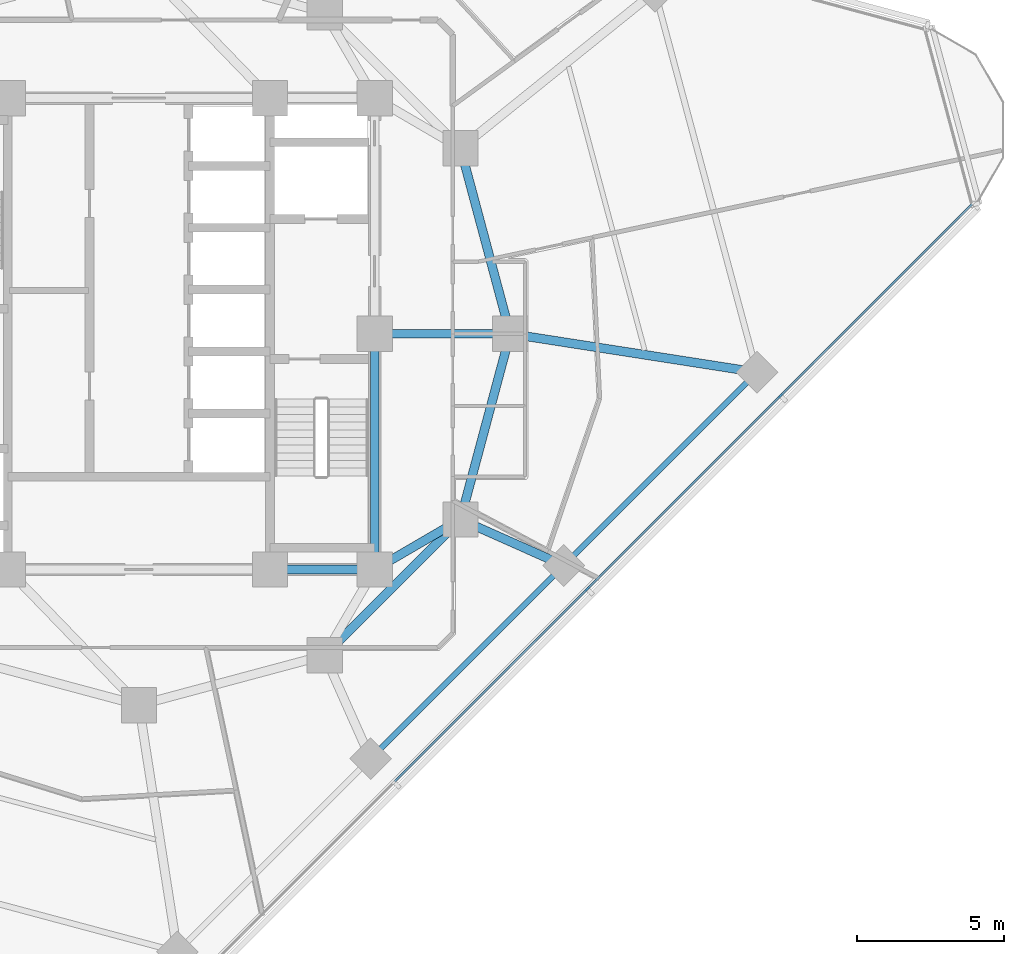
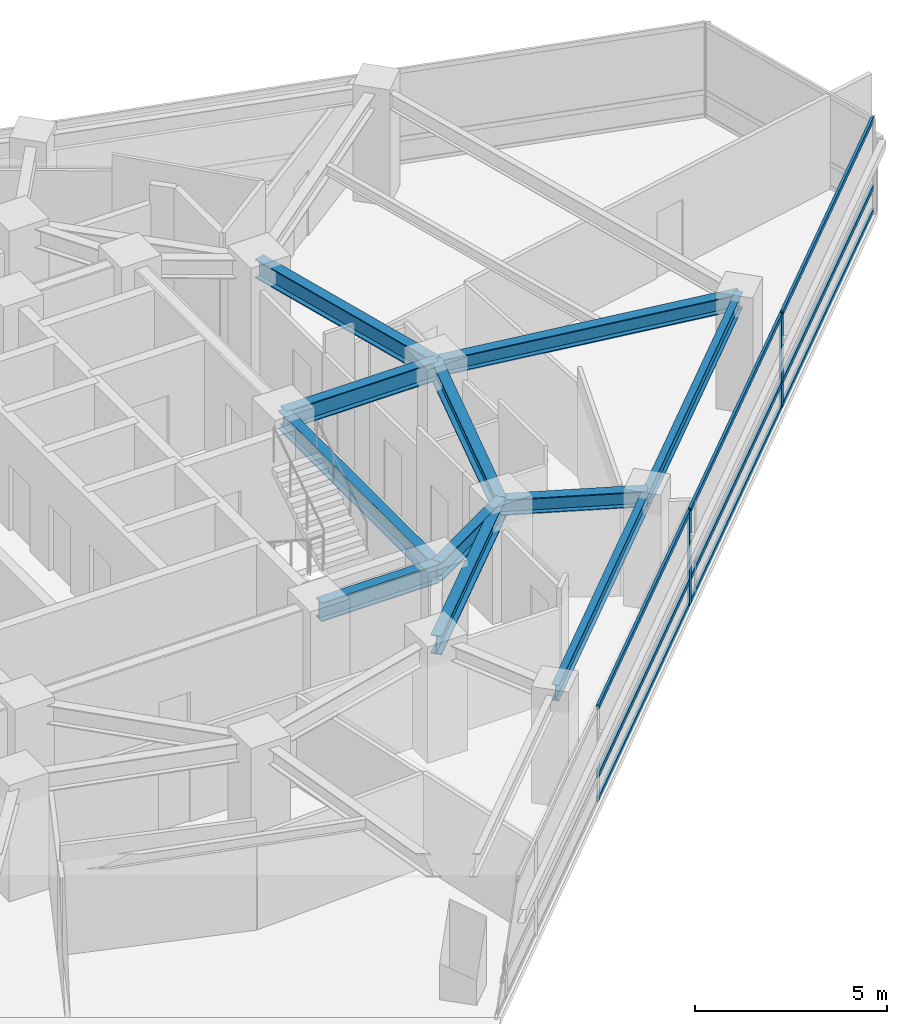
# One storey, part 3 of 14: 11 beams, 11 members, 1 element without a shape of its own.
"""IFC4 building model written with IfcOpenShell, lengths in metres."""

from ifc_helpers import new_model, si_unit, direction, frame, origin, origin_2d, place, context, subcontext, project, spatial, rectangle, i_section, extrude, material, layer, layer_set, material_profile, profile_set, type_object, element, aggregate, save


model = new_model("IFC4")

# Units and contexts
model_context = context("Model", 3, precision=1e-05, world=origin(), true_north=direction((0.0, 1.0)))
body_context = subcontext(model_context, "Body", "Model", "MODEL_VIEW")
ifc_project = project(units=[si_unit("LENGTHUNIT", "METRE"), si_unit("AREAUNIT", "SQUARE_METRE"), si_unit("VOLUMEUNIT", "CUBIC_METRE"), si_unit("PLANEANGLEUNIT", "RADIAN"), si_unit("MASSUNIT", "GRAM", prefix="KILO")], contexts=[model_context])

# Site, building, storey
site_placement = place(None, origin())
site = spatial("IfcSite", under=ifc_project, at=site_placement, CompositionType="ELEMENT")
building_placement = place(site_placement, origin())
building = spatial("IfcBuilding", under=site, at=building_placement, Name="Terralouvre Media Tower", CompositionType="ELEMENT")
storey_placement = place(building_placement, frame((0.0, 0.0, 187.89990234375)))
storey = spatial("IfcBuildingStorey", under=building, at=storey_placement, Name="L48", CompositionType="ELEMENT", Elevation=187.89990234375)

# Curtain wall, members
ifc_material_1 = material(Name="Low-iron laminated double glazing with solar-control coating", Category="glass")
ifc_layer = layer(ifc_material_1, 0.1650390625, Name="Production Studio Tower Curtain Wall CW-03")
ifc_layer_set = layer_set([ifc_layer], Name="Low-iron laminated double glazing with solar-control coating")
curtain_wall_type = type_object("IfcCurtainWallType", Name="Production Studio Tower Curtain Wall CW-03", PredefinedType="NOTDEFINED", material=ifc_layer_set)
curtain_wall_placement = place(storey_placement, origin())
curtain_wall = element("IfcCurtainWall", 1, at=curtain_wall_placement, inside=storey, type_object=curtain_wall_type, Name="L48 Facade Curtain Wall F0", PredefinedType="NOTDEFINED")
ifc_material_2 = material(Name="Anodised extruded aluminium 6063-T6", Category="aluminium")
ifc_material_profile_1 = material_profile(ifc_material_2, rectangle(XDim=0.074951171875, YDim=0.14990234375, at=origin_2d()), Name="ALU 75x150")
ifc_profile_set_1 = profile_set([ifc_material_profile_1], Name="Anodised extruded aluminium 6063-T6")
member_type_1 = type_object("IfcMemberType", Name="Curtain-Wall Horizontal Transom TR-150", PredefinedType="USERDEFINED", material=ifc_profile_set_1)
member_1_placement = place(storey_placement, frame((8.6865234375, -15.189697265625, 0.03759765625), z_axis=(0.707106781187, 0.707106781187, 0.0), x_axis=(-0.707106781187, 0.707106781187, 0.0)))
member_1 = element("IfcMember", 2, at=member_1_placement, type_object=member_type_1, Name="CW-03 transom 3.1", ObjectType="TRANSOM", PredefinedType="USERDEFINED", context=body_context, shape_type="SweptSolid", body=[
    extrude(rectangle(XDim=0.074951171875, YDim=0.14990234375, at=origin_2d()), origin(), (0.0, 0.0, 1.0), 9.19677734375),
])
member_2_placement = place(storey_placement, frame((8.6865234375, -15.189697265625, 0.800048828125), z_axis=(0.707106781187, 0.707106781187, 0.0), x_axis=(-0.707106781187, 0.707106781187, 0.0)))
member_2 = element("IfcMember", 3, at=member_2_placement, type_object=member_type_1, Name="CW-03 transom 3.2", ObjectType="TRANSOM", PredefinedType="USERDEFINED", context=body_context, shape_type="SweptSolid", body=[
    extrude(rectangle(XDim=0.074951171875, YDim=0.14990234375, at=origin_2d()), origin(), (0.0, 0.0, 1.0), 9.19677734375),
])
member_3_placement = place(storey_placement, frame((8.6865234375, -15.189697265625, 2.962646484375), z_axis=(0.707106781187, 0.707106781187, 0.0), x_axis=(-0.707106781187, 0.707106781187, 0.0)))
member_3 = element("IfcMember", 4, at=member_3_placement, type_object=member_type_1, Name="CW-03 transom 3.3", ObjectType="TRANSOM", PredefinedType="USERDEFINED", context=body_context, shape_type="SweptSolid", body=[
    extrude(rectangle(XDim=0.074951171875, YDim=0.14990234375, at=origin_2d()), origin(), (0.0, 0.0, 1.0), 9.19677734375),
])
member_4_placement = place(storey_placement, frame((15.24267578125, -8.63330078125, 0.03759765625), z_axis=(0.707120053831, 0.707093508293, 0.0), x_axis=(-0.707093508293, 0.707120053831, 0.0)))
member_4 = element("IfcMember", 5, at=member_4_placement, type_object=member_type_1, Name="CW-03 transom 4.1", ObjectType="TRANSOM", PredefinedType="USERDEFINED", context=body_context, shape_type="SweptSolid", body=[
    extrude(rectangle(XDim=0.074951171875, YDim=0.14990234375, at=origin_2d()), origin(), (0.0, 0.0, 1.0), 9.197021484375),
])
member_5_placement = place(storey_placement, frame((15.24267578125, -8.63330078125, 0.800048828125), z_axis=(0.707120053831, 0.707093508293, 0.0), x_axis=(-0.707093508293, 0.707120053831, 0.0)))
member_5 = element("IfcMember", 6, at=member_5_placement, type_object=member_type_1, Name="CW-03 transom 4.2", ObjectType="TRANSOM", PredefinedType="USERDEFINED", context=body_context, shape_type="SweptSolid", body=[
    extrude(rectangle(XDim=0.074951171875, YDim=0.14990234375, at=origin_2d()), origin(), (0.0, 0.0, 1.0), 9.197021484375),
])
member_6_placement = place(storey_placement, frame((15.24267578125, -8.63330078125, 2.962646484375), z_axis=(0.707120053831, 0.707093508293, 0.0), x_axis=(-0.707093508293, 0.707120053831, 0.0)))
member_6 = element("IfcMember", 7, at=member_6_placement, type_object=member_type_1, Name="CW-03 transom 4.3", ObjectType="TRANSOM", PredefinedType="USERDEFINED", context=body_context, shape_type="SweptSolid", body=[
    extrude(rectangle(XDim=0.074951171875, YDim=0.14990234375, at=origin_2d()), origin(), (0.0, 0.0, 1.0), 9.197021484375),
])
member_7_placement = place(storey_placement, frame((21.799072265625, -2.0771484375, 0.03759765625), z_axis=(0.707106781187, 0.707106781187, 0.0), x_axis=(-0.707106781187, 0.707106781187, 0.0)))
member_7 = element("IfcMember", 8, at=member_7_placement, type_object=member_type_1, Name="CW-03 transom 5.1", ObjectType="TRANSOM", PredefinedType="USERDEFINED", context=body_context, shape_type="SweptSolid", body=[
    extrude(rectangle(XDim=0.074951171875, YDim=0.14990234375, at=origin_2d()), origin(), (0.0, 0.0, 1.0), 9.15966796875),
])
member_8_placement = place(storey_placement, frame((21.799072265625, -2.0771484375, 0.800048828125), z_axis=(0.707106781187, 0.707106781187, 0.0), x_axis=(-0.707106781187, 0.707106781187, 0.0)))
member_8 = element("IfcMember", 9, at=member_8_placement, type_object=member_type_1, Name="CW-03 transom 5.2", ObjectType="TRANSOM", PredefinedType="USERDEFINED", context=body_context, shape_type="SweptSolid", body=[
    extrude(rectangle(XDim=0.074951171875, YDim=0.14990234375, at=origin_2d()), origin(), (0.0, 0.0, 1.0), 9.15966796875),
])
member_9_placement = place(storey_placement, frame((21.799072265625, -2.0771484375, 2.962646484375), z_axis=(0.707106781187, 0.707106781187, 0.0), x_axis=(-0.707106781187, 0.707106781187, 0.0)))
member_9 = element("IfcMember", 10, at=member_9_placement, type_object=member_type_1, Name="CW-03 transom 5.3", ObjectType="TRANSOM", PredefinedType="USERDEFINED", context=body_context, shape_type="SweptSolid", body=[
    extrude(rectangle(XDim=0.074951171875, YDim=0.14990234375, at=origin_2d()), origin(), (0.0, 0.0, 1.0), 9.15966796875),
])
ifc_material_3 = material(Name="Anodised extruded aluminium 6063-T6", Category="aluminium")
ifc_material_profile_2 = material_profile(ifc_material_3, rectangle(XDim=0.074951171875, YDim=0.179931640625, at=origin_2d()), Name="ALU 75x180")
ifc_profile_set_2 = profile_set([ifc_material_profile_2], Name="Anodised extruded aluminium 6063-T6")
member_type_2 = type_object("IfcMemberType", Name="Curtain-Wall Vertical Mullion ML-180", PredefinedType="MULLION", material=ifc_profile_set_2)
member_10_placement = place(storey_placement, frame((15.21630859375, -8.659912109375, 0.0), z_axis=(0.0, 0.0, 1.0), x_axis=(-0.707106781187, 0.707106781187, 0.0)))
member_10 = element("IfcMember", 11, at=member_10_placement, type_object=member_type_2, Name="CW-03 mullion 4", PredefinedType="MULLION", context=body_context, shape_type="SweptSolid", body=[
    extrude(rectangle(XDim=0.074951171875, YDim=0.179931640625, at=origin_2d()), origin(), (0.0, 0.0, 1.0), 3.0),
])
member_11_placement = place(storey_placement, frame((21.7724609375, -2.103515625, 0.0), z_axis=(0.0, 0.0, 1.0), x_axis=(-0.707106781187, 0.707106781187, 0.0)))
member_11 = element("IfcMember", 12, at=member_11_placement, type_object=member_type_2, Name="CW-03 mullion 5", PredefinedType="MULLION", context=body_context, shape_type="SweptSolid", body=[
    extrude(rectangle(XDim=0.074951171875, YDim=0.179931640625, at=origin_2d()), origin(), (0.0, 0.0, 1.0), 3.0),
])
aggregate(curtain_wall, [member_10, member_11, member_1, member_2, member_3, member_4, member_5, member_6, member_7, member_8, member_9])

# Beams
ifc_material_4 = material(Name="Structural steel S355J2", Category="steel")
ifc_material_profile_3 = material_profile(ifc_material_4, i_section(OverallWidth=0.199951171875, OverallDepth=0.5, WebThickness=0.01025390625, FlangeThickness=0.01611328125, at=origin_2d()), Name="IPE 500")
ifc_profile_set_3 = profile_set([ifc_material_profile_3], Name="Structural steel S355J2")
beam_type_1 = type_object("IfcBeamType", Name="Perimeter Spandrel Beam SPB-500 (IPE 500)", PredefinedType="SPANDREL", material=ifc_profile_set_3)
beam_1_placement = place(storey_placement, frame((7.86083984375, -14.417236328125, 3.25), z_axis=(0.707106781187, 0.707106781187, 0.0), x_axis=(-0.707106781187, 0.707106781187, 0.0)))
element("IfcBeam", 13, at=beam_1_placement, inside=storey, type_object=beam_type_1, Name="L48 Framing Beam BM-L48-PR04", PredefinedType="SPANDREL", context=body_context, shape_type="SweptSolid", body=[
    extrude(i_section(OverallWidth=0.199951171875, OverallDepth=0.5, WebThickness=0.01025390625, FlangeThickness=0.01611328125, at=origin_2d()), origin(), (0.0, 0.0, 1.0), 9.272216796875),
])
beam_2_placement = place(storey_placement, frame((14.417236328125, -7.86083984375, 3.25), z_axis=(0.707106781187, 0.707106781187, 0.0), x_axis=(-0.707106781187, 0.707106781187, 0.0)))
element("IfcBeam", 14, at=beam_2_placement, inside=storey, type_object=beam_type_1, Name="L48 Framing Beam BM-L48-PR05", PredefinedType="SPANDREL", context=body_context, shape_type="SweptSolid", body=[
    extrude(i_section(OverallWidth=0.199951171875, OverallDepth=0.5, WebThickness=0.01025390625, FlangeThickness=0.01611328125, at=origin_2d()), origin(), (0.0, 0.0, 1.0), 9.271728515625),
])
ifc_material_5 = material(Name="Structural steel S355J2", Category="steel")
ifc_material_profile_4 = material_profile(ifc_material_5, i_section(OverallWidth=0.300048828125, OverallDepth=0.5, WebThickness=0.014404296875, FlangeThickness=0.028076171875, at=origin_2d()), Name="HEB 500")
ifc_profile_set_4 = profile_set([ifc_material_profile_4], Name="Structural steel S355J2")
beam_type_2 = type_object("IfcBeamType", Name="Primary Floor Girder B-HEB500 (HEB 500)", PredefinedType="BEAM", material=ifc_profile_set_4)
beam_3_placement = place(storey_placement, frame((10.911865234375, -6.300048828125, 3.25), z_axis=(0.913535846257, -0.406758229915, 0.0), x_axis=(0.406758229915, 0.913535846257, 0.0)))
element("IfcBeam", 15, at=beam_3_placement, inside=storey, type_object=beam_type_2, Name="L48 Framing Beam BM-L48-RD05", PredefinedType="BEAM", context=body_context, shape_type="SweptSolid", body=[
    extrude(i_section(OverallWidth=0.300048828125, OverallDepth=0.5, WebThickness=0.014404296875, FlangeThickness=0.028076171875, at=origin_2d()), origin(), (0.0, 0.0, 1.0), 3.837158203125),
])
beam_4_placement = place(storey_placement, frame((12.60009765625, 0.0, 3.25), z_axis=(0.988077445791, -0.153957660154, 0.0), x_axis=(0.153957660154, 0.988077445791, 0.0)))
element("IfcBeam", 16, at=beam_4_placement, inside=storey, type_object=beam_type_2, Name="L48 Framing Beam BM-L48-RD06", PredefinedType="BEAM", context=body_context, shape_type="SweptSolid", body=[
    extrude(i_section(OverallWidth=0.300048828125, OverallDepth=0.5, WebThickness=0.014404296875, FlangeThickness=0.028076171875, at=origin_2d()), origin(), (0.0, 0.0, 1.0), 8.474365234375),
])
ifc_material_6 = material(Name="Structural steel S460M", Category="steel")
ifc_material_profile_5 = material_profile(ifc_material_6, i_section(OverallWidth=0.300048828125, OverallDepth=0.60009765625, WebThickness=0.015380859375, FlangeThickness=0.030029296875, at=origin_2d()), Name="HEB 600")
ifc_profile_set_5 = profile_set([ifc_material_profile_5], Name="Structural steel S460M")
beam_type_3 = type_object("IfcBeamType", Name="Primary Floor Girder B-HEB600 (HEB 600)", PredefinedType="BEAM", material=ifc_profile_set_5)
beam_5_placement = place(storey_placement, frame((4.449951171875, -8.0, 3.2001953125), z_axis=(1.0, 0.0, 0.0), x_axis=(0.0, 1.0, 0.0)))
element("IfcBeam", 17, at=beam_5_placement, inside=storey, type_object=beam_type_3, Name="L48 Framing Beam BM-L48-CPR03", PredefinedType="BEAM", context=body_context, shape_type="SweptSolid", body=[
    extrude(i_section(OverallWidth=0.300048828125, OverallDepth=0.60009765625, WebThickness=0.015380859375, FlangeThickness=0.030029296875, at=origin_2d()), origin(), (0.0, 0.0, 1.0), 3.550048828125),
])
beam_6_placement = place(storey_placement, frame((8.0, -8.0, 3.2001953125), z_axis=(0.0, 1.0, 0.0), x_axis=(-1.0, 0.0, 0.0)))
element("IfcBeam", 18, at=beam_6_placement, inside=storey, type_object=beam_type_3, Name="L48 Framing Beam BM-L48-CPR04", PredefinedType="BEAM", context=body_context, shape_type="SweptSolid", body=[
    extrude(i_section(OverallWidth=0.300048828125, OverallDepth=0.60009765625, WebThickness=0.015380859375, FlangeThickness=0.030029296875, at=origin_2d()), origin(), (0.0, 0.0, 1.0), 8.0),
])
beam_7_placement = place(storey_placement, frame((6.300048828125, -10.911865234375, 3.2001953125), z_axis=(0.707106781187, 0.707106781187, 0.0), x_axis=(-0.707106781187, 0.707106781187, 0.0)))
element("IfcBeam", 19, at=beam_7_placement, inside=storey, type_object=beam_type_3, Name="L48 Framing Beam BM-L48-MR04", PredefinedType="BEAM", context=body_context, shape_type="SweptSolid", body=[
    extrude(i_section(OverallWidth=0.300048828125, OverallDepth=0.60009765625, WebThickness=0.015380859375, FlangeThickness=0.030029296875, at=origin_2d()), origin(), (0.0, 0.0, 1.0), 6.52197265625),
])
for number, where, z_axis, x_axis, name in (
    (20, (10.911865234375, -6.300048828125, 3.2001953125), (0.258838989821, 0.965920481897, 0.0), (-0.965920481897, 0.258838989821, 0.0), "L48 Framing Beam BM-L48-MR05"),
    (21, (12.60009765625, 0.0, 3.2001953125), (-0.258838989821, 0.965920481897, 0.0), (-0.965920481897, -0.258838989821, 0.0), "L48 Framing Beam BM-L48-MR06"),
):
    element("IfcBeam", number, at=place(storey_placement, frame(where, z_axis=z_axis, x_axis=x_axis)), inside=storey, type_object=beam_type_3, Name=name, PredefinedType="BEAM", context=body_context, shape_type="SweptSolid", body=[
        extrude(i_section(OverallWidth=0.300048828125, OverallDepth=0.60009765625, WebThickness=0.015380859375, FlangeThickness=0.030029296875, at=origin_2d()), origin(), (0.0, 0.0, 1.0), 6.522216796875),
    ])
beam_8_placement = place(storey_placement, frame((8.0, -8.0, 3.2001953125), z_axis=(0.863602894532, 0.504172629717, 0.0), x_axis=(-0.504172629717, 0.863602894532, 0.0)))
element("IfcBeam", 22, at=beam_8_placement, inside=storey, type_object=beam_type_3, Name="L48 Framing Beam BM-L48-CM05", PredefinedType="BEAM", context=body_context, shape_type="SweptSolid", body=[
    extrude(i_section(OverallWidth=0.300048828125, OverallDepth=0.60009765625, WebThickness=0.015380859375, FlangeThickness=0.030029296875, at=origin_2d()), origin(), (0.0, 0.0, 1.0), 3.371826171875),
])
beam_9_placement = place(storey_placement, frame((8.0, 0.0, 3.2001953125), z_axis=(1.0, 0.0, 0.0), x_axis=(0.0, 1.0, 0.0)))
element("IfcBeam", 23, at=beam_9_placement, inside=storey, type_object=beam_type_3, Name="L48 Framing Beam BM-L48-CM06", PredefinedType="BEAM", context=body_context, shape_type="SweptSolid", body=[
    extrude(i_section(OverallWidth=0.300048828125, OverallDepth=0.60009765625, WebThickness=0.015380859375, FlangeThickness=0.030029296875, at=origin_2d()), origin(), (0.0, 0.0, 1.0), 4.60009765625),
])

save(model, "model.ifc")
